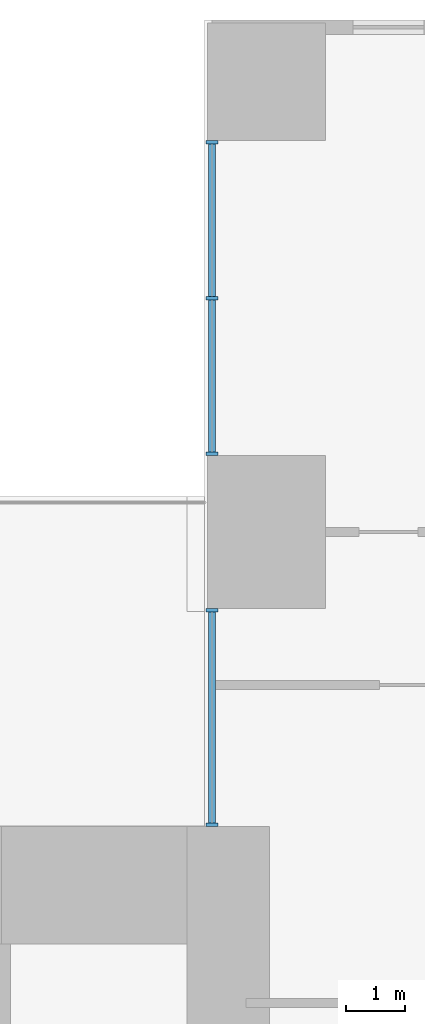
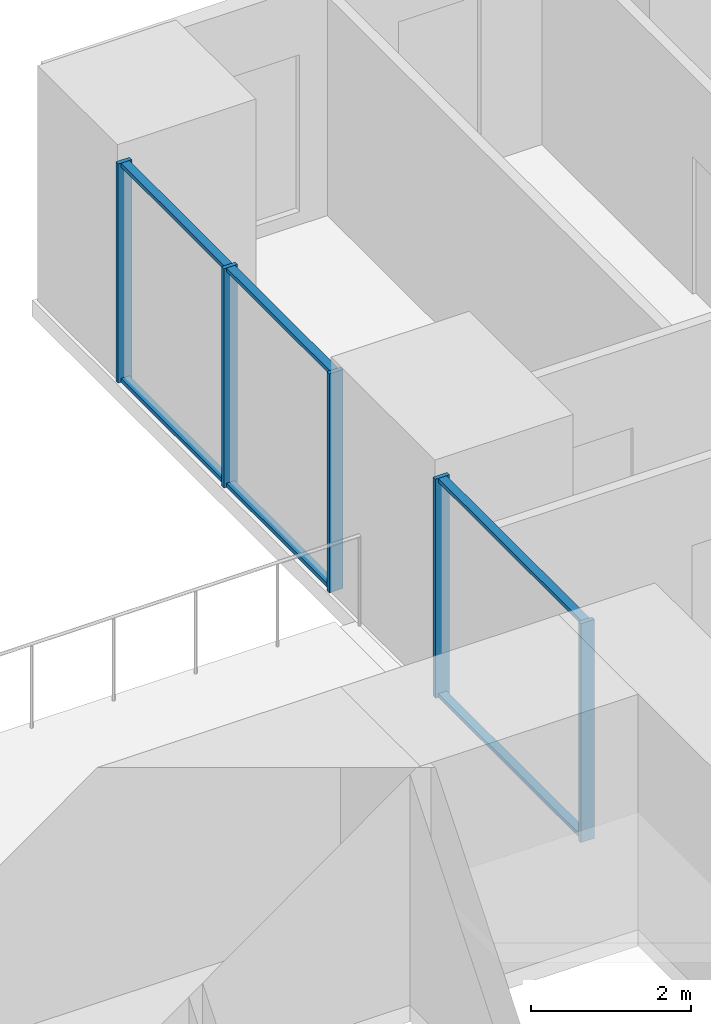
# One storey, part 5 of 20: 11 members, 2 elements without a shape of their own.
"""IFC4 building model written with IfcOpenShell, lengths in metres."""

import ifcopenshell
import ifcopenshell.guid

model = None  # the IFC model being written
_history = None  # IfcOwnerHistory: only IFC2X3 demands one
_inside = {}  # id of a spatial element -> (the spatial element, [elements in it])
_under = {}  # id of a project, library or spatial element -> (it, [spatial elements below it])
_declared = {}  # id of a project -> (the project, [libraries it declares])
_typed = {}  # id of a type object -> (the type object, [elements of that type])
_made_of = {}  # id of a material, layer set ... -> (it, [elements and type objects made of it])


def new_model(schema):
    """Start an empty IFC model of exactly this schema.

    Asked for "IFC4X3", IfcOpenShell would pick the latest addendum, in which some entities
    have other attributes; the version numbers below select the first issue.
    IFC2X3 requires an IfcOwnerHistory on every rooted entity: one is made here for all.
    """
    global model, _history
    if schema == "IFC4X3":
        model = ifcopenshell.file(schema_version=(4, 3, 0, 0))
    else:
        model = ifcopenshell.file(schema=schema)
    _inside.clear()
    _under.clear()
    _declared.clear()
    _typed.clear()
    _made_of.clear()
    _history = None
    if model.schema == "IFC2X3":
        org = make("IfcOrganization", Name="unknown")
        user = make(
            "IfcPersonAndOrganization",
            ThePerson=make("IfcPerson", FamilyName="unknown"),
            TheOrganization=org,
        )
        app = make(
            "IfcApplication",
            ApplicationDeveloper=org,
            Version="unknown",
            ApplicationFullName="unknown",
            ApplicationIdentifier="unknown",
        )
        _history = make(
            "IfcOwnerHistory",
            OwningUser=user,
            OwningApplication=app,
            ChangeAction="ADDED",
            CreationDate=0,
        )
    return model


def make(cls, **values):
    """One entity of the class cls with the attributes given. An attribute that is None is left unset."""
    return model.create_entity(
        cls, **{name: value for name, value in values.items() if value is not None}
    )


def rooted(cls, **values):
    """An entity with a GlobalId (a new one), such as an element, a storey or a relation."""
    return make(cls, GlobalId=ifcopenshell.guid.new(), OwnerHistory=_history, **values)


def si_unit(unit_type, name, prefix=None):
    """IfcSIUnit, for example si_unit("LENGTHUNIT", "METRE", prefix="MILLI")."""
    return make("IfcSIUnit", UnitType=unit_type, Prefix=prefix, Name=name)


def assignment(units):
    """IfcUnitAssignment: the units of a project."""
    return None if units is None else make("IfcUnitAssignment", Units=units)


def point(xyz):
    """IfcCartesianPoint."""
    return None if xyz is None else make("IfcCartesianPoint", Coordinates=xyz)


def direction(xyz):
    """IfcDirection."""
    return None if xyz is None else make("IfcDirection", DirectionRatios=xyz)


def frame(location, z_axis=None, x_axis=None):
    """IfcAxis2Placement3D, a coordinate frame: its origin and axes. An axis left out is left unset."""
    return make(
        "IfcAxis2Placement3D",
        Location=point(location),
        Axis=direction(z_axis),
        RefDirection=direction(x_axis),
    )


def frame_2d(location, x_axis=None):
    """IfcAxis2Placement2D, a coordinate frame in the plane: its origin and x axis."""
    return make(
        "IfcAxis2Placement2D", Location=point(location), RefDirection=direction(x_axis)
    )


def origin():
    """The frame at (0, 0, 0) with its axes left unset."""
    return frame((0.0, 0.0, 0.0))


def origin_2d():
    """The frame at (0, 0) in the plane with its x axis left unset."""
    return frame_2d((0.0, 0.0))


def place(relative_to, where):
    """IfcLocalPlacement: puts the frame where relative to a parent placement (None: the world)."""
    return make(
        "IfcLocalPlacement", PlacementRelTo=relative_to, RelativePlacement=where
    )


def context(
    kind, dimensions, precision=None, world=None, true_north=None, identifier=None
):
    """IfcGeometricRepresentationContext, for example the 3D "Model" context."""
    return make(
        "IfcGeometricRepresentationContext",
        ContextIdentifier=identifier,
        ContextType=kind,
        CoordinateSpaceDimension=dimensions,
        Precision=precision,
        WorldCoordinateSystem=world,
        TrueNorth=true_north,
    )


def subcontext(parent, identifier, kind, view, scale=None):
    """IfcGeometricRepresentationSubContext, for example "Body" below "Model"."""
    return make(
        "IfcGeometricRepresentationSubContext",
        ContextIdentifier=identifier,
        ContextType=kind,
        ParentContext=parent,
        TargetScale=scale,
        TargetView=view,
    )


def project(units=None, contexts=None):
    """IfcProject with its units and contexts."""
    return rooted(
        "IfcProject",
        Name="project",
        RepresentationContexts=contexts,
        UnitsInContext=assignment(units),
    )


def spatial(cls, under=None, at=None, **own):
    """A site, building, storey or space (cls), placed at a placement, below another one or the project."""
    s = rooted(cls, ObjectPlacement=at, **own)
    if under is not None:
        _under.setdefault(under.id(), (under, []))[1].append(s)
    return s


def profile(cls, at=None, kind="AREA", **sizes):
    """A parametric profile (cls). Its sizes go by their IFC names, for example OverallWidth=200.0."""
    return make(cls, ProfileType=kind, Position=at, **sizes)


def rectangle(**sizes):
    """IfcRectangleProfileDef."""
    return profile("IfcRectangleProfileDef", **sizes)


def extrude(swept, where, along, depth):
    """IfcExtrudedAreaSolid: the profile swept, set in the frame where, extruded along a direction by depth."""
    return make(
        "IfcExtrudedAreaSolid",
        SweptArea=swept,
        Position=where,
        ExtrudedDirection=direction(along),
        Depth=depth,
    )


def shape(context_of_items, identifier, shape_type, items):
    """IfcShapeRepresentation: the items that make up one representation, for example the "Body"."""
    return make(
        "IfcShapeRepresentation",
        ContextOfItems=context_of_items,
        RepresentationIdentifier=identifier,
        RepresentationType=shape_type,
        Items=items,
    )


def material(Name=None, Category=None):
    """IfcMaterial."""
    return make("IfcMaterial", Name=Name, Category=Category)


def layer(
    of_material, thickness, ventilated=None, Name=None, Category=None, Priority=None
):
    """IfcMaterialLayer: one layer of a wall or slab, of a material (None: an air gap)."""
    return make(
        "IfcMaterialLayer",
        Material=of_material,
        LayerThickness=thickness,
        IsVentilated=ventilated,
        Name=Name,
        Category=Category,
        Priority=Priority,
    )


def layer_set(layers, Name=None):
    """IfcMaterialLayerSet."""
    return make("IfcMaterialLayerSet", MaterialLayers=layers, LayerSetName=Name)


def material_profile(
    of_material, cross_section, Name=None, Category=None, Priority=None
):
    """IfcMaterialProfile: a cross section and its material."""
    return make(
        "IfcMaterialProfile",
        Name=Name,
        Material=of_material,
        Profile=cross_section,
        Priority=Priority,
        Category=Category,
    )


def profile_set(profiles, Name=None, composite=None):
    """IfcMaterialProfileSet."""
    return make(
        "IfcMaterialProfileSet",
        Name=Name,
        MaterialProfiles=profiles,
        CompositeProfile=composite,
    )


def made_of(thing, what):
    """Note that an element or type object is made of a material, layer set ...; save() writes the relation."""
    if what is not None:
        _made_of.setdefault(what.id(), (what, []))[1].append(thing)
    return thing


def type_object(cls, material=None, **own):
    """A type object (cls), such as IfcWallType, which elements share."""
    return made_of(rooted(cls, **own), material)


def element(
    cls,
    number,
    at=None,
    inside=None,
    cuts=None,
    type_object=None,
    material=None,
    context=None,
    identifier="Body",
    shape_type=None,
    held_by="IfcProductDefinitionShape",
    body=None,
    shapes=None,
    **own,
):
    """One element of the class cls, such as IfcWall. Its Tag is "e" and its number.

    at: its placement. inside: the storey or other place that contains it. cuts: it is an
    opening in that element (IfcRelVoidsElement). A single representation is given by context,
    identifier, shape_type and body (its items); several are given by shapes. held_by: the class
    of the entity that holds the representations. save() writes the other relations.
    """
    e = rooted(cls, Tag="e%d" % number, ObjectPlacement=at, **own)
    if body is not None:
        shapes = [shape(context, identifier, shape_type, body)]
    if shapes is not None:
        e.Representation = make(held_by, Representations=shapes)
    if inside is not None:
        _inside.setdefault(inside.id(), (inside, []))[1].append(e)
    if cuts is not None:
        rooted(
            "IfcRelVoidsElement", RelatingBuildingElement=cuts, RelatedOpeningElement=e
        )
    if type_object is not None:
        _typed.setdefault(type_object.id(), (type_object, []))[1].append(e)
    return made_of(e, material)


def aggregate(whole, parts):
    """IfcRelAggregates: a whole, such as a stair, and the parts it consists of."""
    return rooted("IfcRelAggregates", RelatingObject=whole, RelatedObjects=parts)


def save(model, path):
    """Write the relations noted so far, then the file.

    IfcRelAggregates (storeys below a building ...), IfcRelContainedInSpatialStructure (elements
    in a storey), IfcRelDefinesByType, IfcRelAssociatesMaterial and IfcRelDeclares: one each for
    every whole, place, type object, material and project.
    """
    for whole, parts in _under.values():
        aggregate(whole, parts)
    for where, things in _inside.values():
        rooted(
            "IfcRelContainedInSpatialStructure",
            RelatedElements=things,
            RelatingStructure=where,
        )
    for kind, things in _typed.values():
        rooted("IfcRelDefinesByType", RelatedObjects=things, RelatingType=kind)
    for what, things in _made_of.values():
        rooted("IfcRelAssociatesMaterial", RelatedObjects=things, RelatingMaterial=what)
    for by, libraries in _declared.values():
        rooted("IfcRelDeclares", RelatingContext=by, RelatedDefinitions=libraries)
    model.write(path)


model = new_model("IFC4")

# Units and contexts
model_context = context("Model", 3, precision=1e-05, world=origin(), true_north=direction((0.0, 1.0)))
body_context = subcontext(model_context, "Body", "Model", "MODEL_VIEW")
ifc_project = project(units=[si_unit("LENGTHUNIT", "METRE"), si_unit("AREAUNIT", "SQUARE_METRE"), si_unit("VOLUMEUNIT", "CUBIC_METRE"), si_unit("PLANEANGLEUNIT", "RADIAN"), si_unit("MASSUNIT", "GRAM", prefix="KILO")], contexts=[model_context])

# Site, building, storey
site_placement = place(None, origin())
site = spatial("IfcSite", under=ifc_project, at=site_placement, CompositionType="ELEMENT")
building_placement = place(site_placement, origin())
building = spatial("IfcBuilding", under=site, at=building_placement, Name="Cleftline Residences", CompositionType="ELEMENT")
storey_placement = place(building_placement, frame((0.0, 0.0, 182.199951171875)))
storey = spatial("IfcBuildingStorey", under=building, at=storey_placement, Name="L47", CompositionType="ELEMENT", Elevation=182.199951171875)

# Curtain wall, members
ifc_material_1 = material(Name="Aluminium framed curtain wall", Category="aluminium")
ifc_layer = layer(ifc_material_1, 0.199951171875)
ifc_layer_set = layer_set([ifc_layer], Name="CW1 CLEFT GLAZING")
curtain_wall_type = type_object("IfcCurtainWallType", Name="CW1 CLEFT GLAZING", PredefinedType="NOTDEFINED", material=ifc_layer_set)
curtain_wall_1_placement = place(storey_placement, origin())
curtain_wall_1 = element("IfcCurtainWall", 1, at=curtain_wall_1_placement, inside=storey, type_object=curtain_wall_type, Name="Curtain wall CW1", PredefinedType="NOTDEFINED")
ifc_material_2 = material(Name="Aluminium mullion", Category="aluminium")
ifc_material_profile_1 = material_profile(ifc_material_2, rectangle(XDim=0.199951171875, YDim=0.06005859375, at=origin_2d()))
ifc_profile_set_1 = profile_set([ifc_material_profile_1], Name="Aluminium mullion")
member_type_1 = type_object("IfcMemberType", Name="CW1 MULLION", PredefinedType="MULLION", material=ifc_profile_set_1)
member_1_placement = place(storey_placement, frame((41.425048828125, 46.6201171875, 0.0), z_axis=(0.0, 0.0, 1.0), x_axis=(1.0, 0.0, 0.0)))
member_1 = element("IfcMember", 2, at=member_1_placement, type_object=member_type_1, Name="CW1 mullion 1", PredefinedType="MULLION", context=body_context, shape_type="SweptSolid", body=[
    extrude(rectangle(XDim=0.199951171875, YDim=0.06005859375, at=origin_2d()), origin(), (0.0, 0.0, 1.0), 3.35009765625),
])
member_2_placement = place(storey_placement, frame((41.425048828125, 43.97509765625, 0.0), z_axis=(0.0, 0.0, 1.0), x_axis=(1.0, 0.0, 0.0)))
member_2 = element("IfcMember", 3, at=member_2_placement, type_object=member_type_1, Name="CW1 mullion 2", PredefinedType="MULLION", context=body_context, shape_type="SweptSolid", body=[
    extrude(rectangle(XDim=0.199951171875, YDim=0.06005859375, at=origin_2d()), origin(), (0.0, 0.0, 1.0), 3.35009765625),
])
member_3_placement = place(storey_placement, frame((41.425048828125, 41.330078125, 0.0), z_axis=(0.0, 0.0, 1.0), x_axis=(1.0, 0.0, 0.0)))
member_3 = element("IfcMember", 4, at=member_3_placement, type_object=member_type_1, Name="CW1 mullion 3", PredefinedType="MULLION", context=body_context, shape_type="SweptSolid", body=[
    extrude(rectangle(XDim=0.199951171875, YDim=0.06005859375, at=origin_2d()), origin(), (0.0, 0.0, 1.0), 3.35009765625),
])

curtain_wall_2_placement = place(storey_placement, origin())
curtain_wall_2 = element("IfcCurtainWall", 5, at=curtain_wall_2_placement, inside=storey, type_object=curtain_wall_type, Name="Curtain wall CW1", PredefinedType="NOTDEFINED")
member_4_placement = place(storey_placement, frame((41.425048828125, 38.669921875, 0.0), z_axis=(0.0, 0.0, 1.0), x_axis=(1.0, 0.0, 0.0)))
member_4 = element("IfcMember", 6, at=member_4_placement, type_object=member_type_1, Name="CW1 mullion 1", PredefinedType="MULLION", context=body_context, shape_type="SweptSolid", body=[
    extrude(rectangle(XDim=0.199951171875, YDim=0.06005859375, at=origin_2d()), origin(), (0.0, 0.0, 1.0), 3.35009765625),
])
member_5_placement = place(storey_placement, frame((41.425048828125, 35.030029296875, 0.0), z_axis=(0.0, 0.0, 1.0), x_axis=(1.0, 0.0, 0.0)))
member_5 = element("IfcMember", 7, at=member_5_placement, type_object=member_type_1, Name="CW1 mullion 2", PredefinedType="MULLION", context=body_context, shape_type="SweptSolid", body=[
    extrude(rectangle(XDim=0.199951171875, YDim=0.06005859375, at=origin_2d()), origin(), (0.0, 0.0, 1.0), 3.35009765625),
])

# Member
ifc_material_3 = material(Name="Aluminium transom", Category="aluminium")
ifc_material_profile_2 = material_profile(ifc_material_3, rectangle(XDim=0.1201171875, YDim=0.06005859375, at=origin_2d()))
ifc_profile_set_2 = profile_set([ifc_material_profile_2], Name="Aluminium transom")
member_type_2 = type_object("IfcMemberType", Name="CW1 TRANSOM", PredefinedType="USERDEFINED", material=ifc_profile_set_2)
member_6_placement = place(storey_placement, frame((41.425048828125, 46.590087890625, 0.030029296875), z_axis=(0.0, -1.0, 0.0), x_axis=(1.0, 0.0, 0.0)))
member_6 = element("IfcMember", 8, at=member_6_placement, type_object=member_type_2, Name="CW1 transom 1.1", ObjectType="TRANSOM", PredefinedType="USERDEFINED", context=body_context, shape_type="SweptSolid", body=[
    extrude(rectangle(XDim=0.1201171875, YDim=0.06005859375, at=origin_2d()), origin(), (0.0, 0.0, 1.0), 2.585205078125),
])

member_7_placement = place(storey_placement, frame((41.425048828125, 46.590087890625, 3.320068359375), z_axis=(0.0, -1.0, 0.0), x_axis=(1.0, 0.0, 0.0)))
member_7 = element("IfcMember", 9, at=member_7_placement, type_object=member_type_2, Name="CW1 transom 1.2", ObjectType="TRANSOM", PredefinedType="USERDEFINED", context=body_context, shape_type="SweptSolid", body=[
    extrude(rectangle(XDim=0.1201171875, YDim=0.06005859375, at=origin_2d()), origin(), (0.0, 0.0, 1.0), 2.585205078125),
])

member_8_placement = place(storey_placement, frame((41.425048828125, 43.945068359375, 0.030029296875), z_axis=(0.0, -1.0, 0.0), x_axis=(1.0, 0.0, 0.0)))
member_8 = element("IfcMember", 10, at=member_8_placement, type_object=member_type_2, Name="CW1 transom 2.1", ObjectType="TRANSOM", PredefinedType="USERDEFINED", context=body_context, shape_type="SweptSolid", body=[
    extrude(rectangle(XDim=0.1201171875, YDim=0.06005859375, at=origin_2d()), origin(), (0.0, 0.0, 1.0), 2.5849609375),
])

member_9_placement = place(storey_placement, frame((41.425048828125, 43.945068359375, 3.320068359375), z_axis=(0.0, -1.0, 0.0), x_axis=(1.0, 0.0, 0.0)))
member_9 = element("IfcMember", 11, at=member_9_placement, type_object=member_type_2, Name="CW1 transom 2.2", ObjectType="TRANSOM", PredefinedType="USERDEFINED", context=body_context, shape_type="SweptSolid", body=[
    extrude(rectangle(XDim=0.1201171875, YDim=0.06005859375, at=origin_2d()), origin(), (0.0, 0.0, 1.0), 2.5849609375),
])

aggregate(curtain_wall_1, [member_1, member_2, member_3, member_6, member_7, member_8, member_9])

member_10_placement = place(storey_placement, frame((41.425048828125, 38.639892578125, 0.030029296875), z_axis=(0.0, -1.0, 0.0), x_axis=(1.0, 0.0, 0.0)))
member_10 = element("IfcMember", 12, at=member_10_placement, type_object=member_type_2, Name="CW1 transom 1.1", ObjectType="TRANSOM", PredefinedType="USERDEFINED", context=body_context, shape_type="SweptSolid", body=[
    extrude(rectangle(XDim=0.1201171875, YDim=0.06005859375, at=origin_2d()), origin(), (0.0, 0.0, 1.0), 3.579833984375),
])

member_11_placement = place(storey_placement, frame((41.425048828125, 38.639892578125, 3.320068359375), z_axis=(0.0, -1.0, 0.0), x_axis=(1.0, 0.0, 0.0)))
member_11 = element("IfcMember", 13, at=member_11_placement, type_object=member_type_2, Name="CW1 transom 1.2", ObjectType="TRANSOM", PredefinedType="USERDEFINED", context=body_context, shape_type="SweptSolid", body=[
    extrude(rectangle(XDim=0.1201171875, YDim=0.06005859375, at=origin_2d()), origin(), (0.0, 0.0, 1.0), 3.579833984375),
])

aggregate(curtain_wall_2, [member_4, member_5, member_10, member_11])

save(model, "model.ifc")
